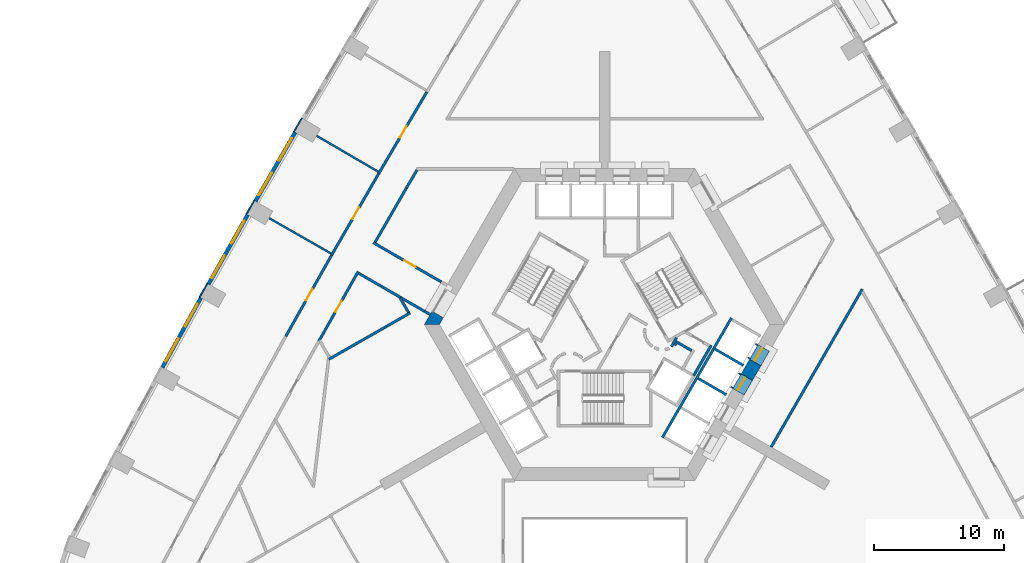
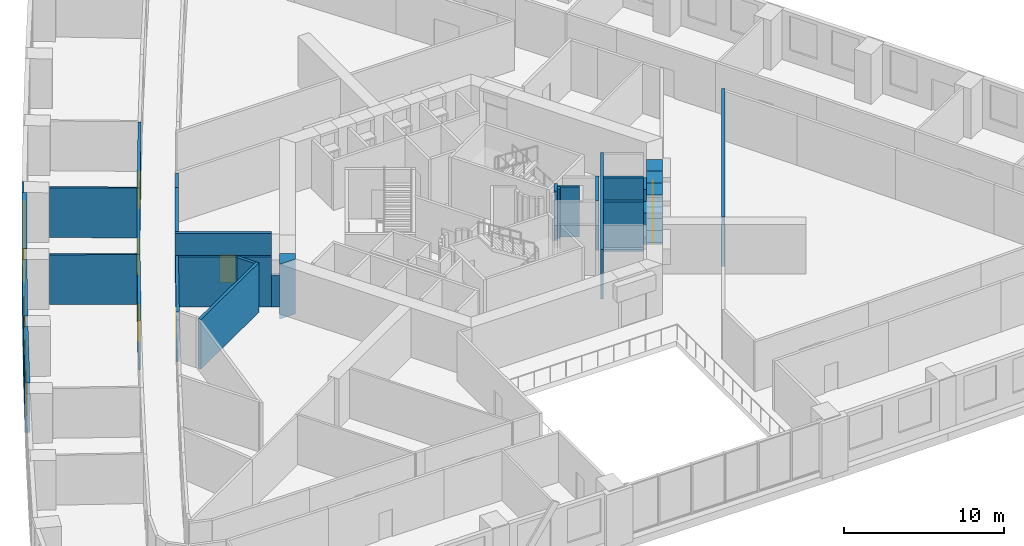
# One storey, part 7 of 16: 34 walls, 7 doors, 6 windows, 13 openings.
"""IFC4 building model written with IfcOpenShell, lengths in metres."""

import ifcopenshell
import ifcopenshell.guid

model = None  # the IFC model being written
_history = None  # IfcOwnerHistory: only IFC2X3 demands one
_inside = {}  # id of a spatial element -> (the spatial element, [elements in it])
_under = {}  # id of a project, library or spatial element -> (it, [spatial elements below it])
_declared = {}  # id of a project -> (the project, [libraries it declares])
_typed = {}  # id of a type object -> (the type object, [elements of that type])
_made_of = {}  # id of a material, layer set ... -> (it, [elements and type objects made of it])


def new_model(schema):
    """Start an empty IFC model of exactly this schema.

    Asked for "IFC4X3", IfcOpenShell would pick the latest addendum, in which some entities
    have other attributes; the version numbers below select the first issue.
    IFC2X3 requires an IfcOwnerHistory on every rooted entity: one is made here for all.
    """
    global model, _history
    if schema == "IFC4X3":
        model = ifcopenshell.file(schema_version=(4, 3, 0, 0))
    else:
        model = ifcopenshell.file(schema=schema)
    _inside.clear()
    _under.clear()
    _declared.clear()
    _typed.clear()
    _made_of.clear()
    _history = None
    if model.schema == "IFC2X3":
        org = make("IfcOrganization", Name="unknown")
        user = make(
            "IfcPersonAndOrganization",
            ThePerson=make("IfcPerson", FamilyName="unknown"),
            TheOrganization=org,
        )
        app = make(
            "IfcApplication",
            ApplicationDeveloper=org,
            Version="unknown",
            ApplicationFullName="unknown",
            ApplicationIdentifier="unknown",
        )
        _history = make(
            "IfcOwnerHistory",
            OwningUser=user,
            OwningApplication=app,
            ChangeAction="ADDED",
            CreationDate=0,
        )
    return model


def make(cls, **values):
    """One entity of the class cls with the attributes given. An attribute that is None is left unset."""
    return model.create_entity(
        cls, **{name: value for name, value in values.items() if value is not None}
    )


def rooted(cls, **values):
    """An entity with a GlobalId (a new one), such as an element, a storey or a relation."""
    return make(cls, GlobalId=ifcopenshell.guid.new(), OwnerHistory=_history, **values)


def si_unit(unit_type, name, prefix=None):
    """IfcSIUnit, for example si_unit("LENGTHUNIT", "METRE", prefix="MILLI")."""
    return make("IfcSIUnit", UnitType=unit_type, Prefix=prefix, Name=name)


def assignment(units):
    """IfcUnitAssignment: the units of a project."""
    return None if units is None else make("IfcUnitAssignment", Units=units)


def point(xyz):
    """IfcCartesianPoint."""
    return None if xyz is None else make("IfcCartesianPoint", Coordinates=xyz)


def direction(xyz):
    """IfcDirection."""
    return None if xyz is None else make("IfcDirection", DirectionRatios=xyz)


def frame(location, z_axis=None, x_axis=None):
    """IfcAxis2Placement3D, a coordinate frame: its origin and axes. An axis left out is left unset."""
    return make(
        "IfcAxis2Placement3D",
        Location=point(location),
        Axis=direction(z_axis),
        RefDirection=direction(x_axis),
    )


def frame_2d(location, x_axis=None):
    """IfcAxis2Placement2D, a coordinate frame in the plane: its origin and x axis."""
    return make(
        "IfcAxis2Placement2D", Location=point(location), RefDirection=direction(x_axis)
    )


def origin():
    """The frame at (0, 0, 0) with its axes left unset."""
    return frame((0.0, 0.0, 0.0))


def place(relative_to, where):
    """IfcLocalPlacement: puts the frame where relative to a parent placement (None: the world)."""
    return make(
        "IfcLocalPlacement", PlacementRelTo=relative_to, RelativePlacement=where
    )


def context(
    kind, dimensions, precision=None, world=None, true_north=None, identifier=None
):
    """IfcGeometricRepresentationContext, for example the 3D "Model" context."""
    return make(
        "IfcGeometricRepresentationContext",
        ContextIdentifier=identifier,
        ContextType=kind,
        CoordinateSpaceDimension=dimensions,
        Precision=precision,
        WorldCoordinateSystem=world,
        TrueNorth=true_north,
    )


def subcontext(parent, identifier, kind, view, scale=None):
    """IfcGeometricRepresentationSubContext, for example "Body" below "Model"."""
    return make(
        "IfcGeometricRepresentationSubContext",
        ContextIdentifier=identifier,
        ContextType=kind,
        ParentContext=parent,
        TargetScale=scale,
        TargetView=view,
    )


def project(units=None, contexts=None):
    """IfcProject with its units and contexts."""
    return rooted(
        "IfcProject",
        Name="project",
        RepresentationContexts=contexts,
        UnitsInContext=assignment(units),
    )


def spatial(cls, under=None, at=None, **own):
    """A site, building, storey or space (cls), placed at a placement, below another one or the project."""
    s = rooted(cls, ObjectPlacement=at, **own)
    if under is not None:
        _under.setdefault(under.id(), (under, []))[1].append(s)
    return s


def polyline(points):
    """IfcPolyline through the points."""
    return make("IfcPolyline", Points=[point(p) for p in points])


def profile(cls, at=None, kind="AREA", **sizes):
    """A parametric profile (cls). Its sizes go by their IFC names, for example OverallWidth=200.0."""
    return make(cls, ProfileType=kind, Position=at, **sizes)


def rectangle(**sizes):
    """IfcRectangleProfileDef."""
    return profile("IfcRectangleProfileDef", **sizes)


def outline(outer, holes=None, kind="AREA"):
    """IfcArbitraryClosedProfileDef: a profile drawn as a closed curve; with holes, ...WithVoids."""
    if holes is None:
        return make("IfcArbitraryClosedProfileDef", ProfileType=kind, OuterCurve=outer)
    return make(
        "IfcArbitraryProfileDefWithVoids",
        ProfileType=kind,
        OuterCurve=outer,
        InnerCurves=holes,
    )


def extrude(swept, where, along, depth):
    """IfcExtrudedAreaSolid: the profile swept, set in the frame where, extruded along a direction by depth."""
    return make(
        "IfcExtrudedAreaSolid",
        SweptArea=swept,
        Position=where,
        ExtrudedDirection=direction(along),
        Depth=depth,
    )


def shape(context_of_items, identifier, shape_type, items):
    """IfcShapeRepresentation: the items that make up one representation, for example the "Body"."""
    return make(
        "IfcShapeRepresentation",
        ContextOfItems=context_of_items,
        RepresentationIdentifier=identifier,
        RepresentationType=shape_type,
        Items=items,
    )


def material(Name=None, Category=None):
    """IfcMaterial."""
    return make("IfcMaterial", Name=Name, Category=Category)


def layer(
    of_material, thickness, ventilated=None, Name=None, Category=None, Priority=None
):
    """IfcMaterialLayer: one layer of a wall or slab, of a material (None: an air gap)."""
    return make(
        "IfcMaterialLayer",
        Material=of_material,
        LayerThickness=thickness,
        IsVentilated=ventilated,
        Name=Name,
        Category=Category,
        Priority=Priority,
    )


def layer_set(layers, Name=None):
    """IfcMaterialLayerSet."""
    return make("IfcMaterialLayerSet", MaterialLayers=layers, LayerSetName=Name)


def made_of(thing, what):
    """Note that an element or type object is made of a material, layer set ...; save() writes the relation."""
    if what is not None:
        _made_of.setdefault(what.id(), (what, []))[1].append(thing)
    return thing


def type_object(cls, material=None, **own):
    """A type object (cls), such as IfcWallType, which elements share."""
    return made_of(rooted(cls, **own), material)


def element(
    cls,
    number,
    at=None,
    inside=None,
    cuts=None,
    type_object=None,
    material=None,
    context=None,
    identifier="Body",
    shape_type=None,
    held_by="IfcProductDefinitionShape",
    body=None,
    shapes=None,
    **own,
):
    """One element of the class cls, such as IfcWall. Its Tag is "e" and its number.

    at: its placement. inside: the storey or other place that contains it. cuts: it is an
    opening in that element (IfcRelVoidsElement). A single representation is given by context,
    identifier, shape_type and body (its items); several are given by shapes. held_by: the class
    of the entity that holds the representations. save() writes the other relations.
    """
    e = rooted(cls, Tag="e%d" % number, ObjectPlacement=at, **own)
    if body is not None:
        shapes = [shape(context, identifier, shape_type, body)]
    if shapes is not None:
        e.Representation = make(held_by, Representations=shapes)
    if inside is not None:
        _inside.setdefault(inside.id(), (inside, []))[1].append(e)
    if cuts is not None:
        rooted(
            "IfcRelVoidsElement", RelatingBuildingElement=cuts, RelatedOpeningElement=e
        )
    if type_object is not None:
        _typed.setdefault(type_object.id(), (type_object, []))[1].append(e)
    return made_of(e, material)


def fill(opening, filler):
    """IfcRelFillsElement: the door or window that sits in an opening."""
    return rooted(
        "IfcRelFillsElement",
        RelatingOpeningElement=opening,
        RelatedBuildingElement=filler,
    )


def aggregate(whole, parts):
    """IfcRelAggregates: a whole, such as a stair, and the parts it consists of."""
    return rooted("IfcRelAggregates", RelatingObject=whole, RelatedObjects=parts)


def save(model, path):
    """Write the relations noted so far, then the file.

    IfcRelAggregates (storeys below a building ...), IfcRelContainedInSpatialStructure (elements
    in a storey), IfcRelDefinesByType, IfcRelAssociatesMaterial and IfcRelDeclares: one each for
    every whole, place, type object, material and project.
    """
    for whole, parts in _under.values():
        aggregate(whole, parts)
    for where, things in _inside.values():
        rooted(
            "IfcRelContainedInSpatialStructure",
            RelatedElements=things,
            RelatingStructure=where,
        )
    for kind, things in _typed.values():
        rooted("IfcRelDefinesByType", RelatedObjects=things, RelatingType=kind)
    for what, things in _made_of.values():
        rooted("IfcRelAssociatesMaterial", RelatedObjects=things, RelatingMaterial=what)
    for by, libraries in _declared.values():
        rooted("IfcRelDeclares", RelatingContext=by, RelatedDefinitions=libraries)
    model.write(path)


model = new_model("IFC4")

# Units and contexts
model_context = context("Model", 3, precision=1e-05, world=origin(), true_north=direction((0.0, 1.0)))
body_context = subcontext(model_context, "Body", "Model", "MODEL_VIEW")
ifc_project = project(units=[si_unit("LENGTHUNIT", "METRE"), si_unit("AREAUNIT", "SQUARE_METRE"), si_unit("VOLUMEUNIT", "CUBIC_METRE"), si_unit("PLANEANGLEUNIT", "RADIAN"), si_unit("MASSUNIT", "GRAM", prefix="KILO")], contexts=[model_context])

# Site, building, storey
site_placement = place(None, origin())
site = spatial("IfcSite", under=ifc_project, at=site_placement, CompositionType="ELEMENT")
building_placement = place(site_placement, origin())
building = spatial("IfcBuilding", under=site, at=building_placement, Name="Entoto Arch Interchange Tower", CompositionType="ELEMENT")
storey_placement = place(building_placement, frame((0.0, 0.0, 60.199951171875)))
storey = spatial("IfcBuildingStorey", under=building, at=storey_placement, Name="L12", CompositionType="ELEMENT", Elevation=60.199951171875)

# Walls
ifc_material_1 = material(Name="Concrete C60/75", Category="concrete")
ifc_layer_1 = layer(ifc_material_1, 1.0)
ifc_layer_set_1 = layer_set([ifc_layer_1], Name="Concrete C60/75")
wall_type_1 = type_object("IfcWallType", Name="Core wall 1000 C60/75", PredefinedType="SHEAR", material=ifc_layer_set_1)
wall_1_placement = place(storey_placement, frame((0.0, 0.0, -0.39990234375)))
element("IfcWall", 1, at=wall_1_placement, inside=storey, type_object=wall_type_1, Name="Core wall NW L12", PredefinedType="SHEAR", context=body_context, shape_type="SweptSolid", body=[
    extrude(outline(polyline([(-12.402099609375, 3.02001953125), (-13.26708984375, 3.52001953125), (-13.85595703125, 2.5), (-12.701904296875, 2.5), (-12.402099609375, 3.02001953125)])), origin(), (0.0, 0.0, 1.0), 4.199951171875),
])
wall_2_placement = place(storey_placement, frame((0.0, 0.0, -0.39990234375)))
element("IfcWall", 2, at=wall_2_placement, inside=storey, type_object=wall_type_1, Name="Core wall SE L12", PredefinedType="SHEAR", context=body_context, shape_type="SweptSolid", body=[
    extrude(outline(polyline([(12.01708984375, -0.68603515625), (11.15087890625, -0.18603515625), (10.5009765625, -1.31103515625), (11.366943359375, -1.81103515625), (12.01708984375, -0.68603515625)])), origin(), (0.0, 0.0, 1.0), 4.199951171875),
])
wall_3_placement = place(storey_placement, frame((0.0, 0.0, 3.60009765625)))
element("IfcWall", 3, at=wall_3_placement, inside=storey, type_object=wall_type_1, Name="Core wall lintel SE L12", PredefinedType="SHEAR", context=body_context, shape_type="SweptSolid", body=[
    extrude(outline(polyline([(11.366943359375, -1.81103515625), (10.5009765625, -1.31103515625), (9.85107421875, -2.43701171875), (10.717041015625, -2.93701171875), (11.366943359375, -1.81103515625)])), origin(), (0.0, 0.0, 1.0), 0.199951171875),
])
wall_4_placement = place(storey_placement, frame((0.0, 0.0, 3.60009765625)))
element("IfcWall", 4, at=wall_4_placement, inside=storey, type_object=wall_type_1, Name="Core wall lintel SE L12", PredefinedType="SHEAR", context=body_context, shape_type="SweptSolid", body=[
    extrude(outline(polyline([(12.6669921875, 0.43994140625), (11.801025390625, 0.93994140625), (11.15087890625, -0.18603515625), (12.01708984375, -0.68603515625), (12.6669921875, 0.43994140625)])), origin(), (0.0, 0.0, 1.0), 0.199951171875),
])

# Wall, opening, door
ifc_material_2 = material(Name="Concrete C40/50", Category="concrete")
ifc_layer_2 = layer(ifc_material_2, 1.199951171875)
ifc_layer_set_2 = layer_set([ifc_layer_2], Name="Concrete C40/50")
wall_type_2 = type_object("IfcWallType", Name="LIFT LANDING INFILL WALL", PredefinedType="STANDARD", material=ifc_layer_set_2)
wall_5_placement = place(storey_placement, frame((10.197998046875, -2.636962890625, 0.0), z_axis=(0.0, 0.0, 1.0), x_axis=(0.49989585183, 0.866085525409, 0.0)))
wall_5 = element("IfcWall", 5, at=wall_5_placement, inside=storey, type_object=wall_type_2, Name="Lift landing infill wall LR7 L12", PredefinedType="STANDARD", context=body_context, shape_type="SweptSolid", body=[
    extrude(rectangle(XDim=1.300048828125, YDim=1.199951171875, at=frame_2d((0.64990234375, 0.0))), origin(), (0.0, 0.0, 1.0), 2.400146484375),
])
opening_1_placement = place(wall_5_placement, frame((0.10009765625, 0.0, 0.0)))
opening_1 = element("IfcOpeningElement", 6, at=opening_1_placement, cuts=wall_5, Name="Opening LD-LR7-L12", PredefinedType="OPENING", context=body_context, shape_type="SweptSolid", body=[
    extrude(rectangle(XDim=1.10009765625, YDim=2.300048828125, at=frame_2d((0.550048828125, 1.14990234375))), frame((0.0, 0.60986328125, 0.0), z_axis=(0.0, -1.0, 0.0), x_axis=(1.0, 0.0, 0.0)), (0.0, 0.0, 1.0), 1.219970703125),
])
ifc_material_3 = material(Name="Stainless steel 1.4301 panels", Category="steel")
door_type_1 = type_object("IfcDoorType", Name="LIFT LANDING DOOR LD2 1100x2300", OperationType="SLIDING_TO_LEFT", PredefinedType="DOOR", material=ifc_material_3)
door_1_placement = place(opening_1_placement, origin())
door_1 = element("IfcDoor", 7, at=door_1_placement, inside=storey, type_object=door_type_1, Name="Lift landing door LR7 L12", OperationType="SLIDING_TO_LEFT", OverallHeight=2.300048828125, OverallWidth=1.10009765625, PredefinedType="DOOR", context=body_context, shape_type="SweptSolid", body=[
    extrude(rectangle(XDim=1.10009765625, YDim=2.300048828125, at=frame_2d((0.550048828125, 1.14990234375))), frame((0.0, 0.02490234375, 0.0), z_axis=(0.0, -1.0, 0.0), x_axis=(1.0, 0.0, 0.0)), (0.0, 0.0, 1.0), 0.050048828125),
])
fill(opening_1, door_1)

wall_6_placement = place(storey_placement, frame((11.498046875, -0.385009765625, 0.0), z_axis=(0.0, 0.0, 1.0), x_axis=(0.500221244143, 0.865897630733, 0.0)))
wall_6 = element("IfcWall", 8, at=wall_6_placement, inside=storey, type_object=wall_type_2, Name="Lift landing infill wall LR8 L12", PredefinedType="STANDARD", context=body_context, shape_type="SweptSolid", body=[
    extrude(rectangle(XDim=1.29931640625, YDim=1.199951171875, at=frame_2d((0.649658203125, 0.0))), origin(), (0.0, 0.0, 1.0), 2.400146484375),
])
opening_2_placement = place(wall_6_placement, frame((0.10009765625, 0.0, 0.0)))
opening_2 = element("IfcOpeningElement", 9, at=opening_2_placement, cuts=wall_6, Name="Opening LD-LR8-L12", PredefinedType="OPENING", context=body_context, shape_type="SweptSolid", body=[
    extrude(rectangle(XDim=1.10009765625, YDim=2.300048828125, at=frame_2d((0.550048828125, 1.14990234375))), frame((0.0, 0.60986328125, 0.0), z_axis=(0.0, -1.0, 0.0), x_axis=(1.0, 0.0, 0.0)), (0.0, 0.0, 1.0), 1.219970703125),
])
door_2_placement = place(opening_2_placement, origin())
door_2 = element("IfcDoor", 10, at=door_2_placement, inside=storey, type_object=door_type_1, Name="Lift landing door LR8 L12", OperationType="SLIDING_TO_LEFT", OverallHeight=2.300048828125, OverallWidth=1.10009765625, PredefinedType="DOOR", context=body_context, shape_type="SweptSolid", body=[
    extrude(rectangle(XDim=1.10009765625, YDim=2.300048828125, at=frame_2d((0.550048828125, 1.14990234375))), frame((0.0, 0.02490234375, 0.0), z_axis=(0.0, -1.0, 0.0), x_axis=(1.0, 0.0, 0.0)), (0.0, 0.0, 1.0), 0.050048828125),
])
fill(opening_2, door_2)

# Walls
ifc_layer_3 = layer(ifc_material_2, 0.199951171875)
ifc_layer_set_3 = layer_set([ifc_layer_3], Name="Concrete C40/50")
wall_type_3 = type_object("IfcWallType", Name="LIFT SHAFT WALL 200", PredefinedType="STANDARD", material=ifc_layer_set_3)
wall_7_placement = place(storey_placement, frame((4.450927734375, -6.18994140625, 0.0), z_axis=(0.0, 0.0, 1.0), x_axis=(0.50000090737, 0.866024879913, 0.0)))
element("IfcWall", 11, at=wall_7_placement, inside=storey, type_object=wall_type_3, Name="Shaft wall SE3 front", PredefinedType="STANDARD", context=body_context, shape_type="SweptSolid", body=[
    extrude(rectangle(XDim=10.60009765625, YDim=0.199951171875, at=frame_2d((5.300048828125, 0.0))), origin(), (0.0, 0.0, 1.0), 3.800048828125),
])
for number, where, z_axis, x_axis, name in (
    (12, (7.18798828125, -1.64990234375, 0.0), (0.0, 0.0, 1.0), (0.866022959057, -0.500004234368, 0.0), "Shaft wall SE3 cross 3"),
    (13, (8.488037109375, 0.60205078125, 0.0), (0.0, 0.0, 1.0), (0.866022959057, -0.500004234368, 0.0), "Shaft wall SE3 cross 4"),
):
    element("IfcWall", number, at=place(storey_placement, frame(where, z_axis=z_axis, x_axis=x_axis)), inside=storey, type_object=wall_type_3, Name=name, PredefinedType="STANDARD", context=body_context, shape_type="SweptSolid", body=[
        extrude(rectangle(XDim=2.5, YDim=0.199951171875, at=frame_2d((1.25, 0.0))), origin(), (0.0, 0.0, 1.0), 3.800048828125),
    ])
ifc_material_4 = material(Name="Gypsum board partition on steel studs", Category="steel")
ifc_layer_4 = layer(ifc_material_4, 0.14990234375)
ifc_layer_set_4 = layer_set([ifc_layer_4], Name="Gypsum board partition on steel studs")
wall_type_4 = type_object("IfcWallType", Name="PARTITION 150", PredefinedType="PARTITIONING", material=ifc_layer_set_4)
wall_8_placement = place(storey_placement, frame((-17.405029296875, 14.237060546875, 0.0), z_axis=(0.0, 0.0, 1.0), x_axis=(-0.863614048932, 0.504153522736, 0.0)))
element("IfcWall", 14, at=wall_8_placement, inside=storey, type_object=wall_type_4, Name="wall:L12:p145", PredefinedType="PARTITIONING", context=body_context, shape_type="SweptSolid", body=[
    extrude(rectangle(XDim=5.48046875, YDim=0.14990234375, at=frame_2d((2.740234375, 0.0))), origin(), (0.0, 0.0, 1.0), 3.800048828125),
])
wall_9_placement = place(storey_placement, frame((-21.032958984375, 7.952880859375, 0.0), z_axis=(0.0, 0.0, 1.0), x_axis=(-0.868311678357, 0.496018980715, 0.0)))
element("IfcWall", 15, at=wall_9_placement, inside=storey, type_object=wall_type_4, Name="wall:L12:p146", PredefinedType="PARTITIONING", context=body_context, shape_type="SweptSolid", body=[
    extrude(rectangle(XDim=5.479736328125, YDim=0.14990234375, at=frame_2d((2.73974609375, 0.0))), origin(), (0.0, 0.0, 1.0), 3.800048828125),
])
ifc_layer_5 = layer(ifc_material_4, 0.199951171875)
ifc_layer_set_5 = layer_set([ifc_layer_5], Name="Gypsum board partition on steel studs")
wall_type_5 = type_object("IfcWallType", Name="PARTITION 200", PredefinedType="PARTITIONING", material=ifc_layer_set_5)
wall_10_placement = place(storey_placement, frame((-14.427001953125, 14.364013671875, 0.0), z_axis=(0.0, 0.0, 1.0), x_axis=(-0.508509719672, -0.861056249614, 0.0)))
element("IfcWall", 16, at=wall_10_placement, inside=storey, type_object=wall_type_5, Name="wall:L12:p001", PredefinedType="PARTITIONING", context=body_context, shape_type="SweptSolid", body=[
    extrude(rectangle(XDim=1.61083984375, YDim=0.199951171875, at=frame_2d((0.805419921875, 0.0))), origin(), (0.0, 0.0, 1.0), 3.800048828125),
])
wall_11_placement = place(storey_placement, frame((-15.24609375, 12.97705078125, 0.0), z_axis=(0.0, 0.0, 1.0), x_axis=(-0.499891203561, -0.866088208327, 0.0)))
element("IfcWall", 17, at=wall_11_placement, inside=storey, type_object=wall_type_5, Name="wall:L12:p002", PredefinedType="PARTITIONING", context=body_context, shape_type="SweptSolid", body=[
    extrude(rectangle(XDim=4.80078125, YDim=0.199951171875, at=frame_2d((2.400390625, 0.0))), origin(), (0.0, 0.0, 1.0), 3.800048828125),
])

# Wall, opening, door
wall_12_placement = place(storey_placement, frame((-17.782958984375, 8.782958984375, 0.0), z_axis=(0.0, 0.0, 1.0), x_axis=(0.866041598752, -0.499971948444, 0.0)))
wall_12 = element("IfcWall", 18, at=wall_12_placement, inside=storey, type_object=wall_type_5, Name="wall:L12:p003", PredefinedType="PARTITIONING", context=body_context, shape_type="SweptSolid", body=[
    extrude(rectangle(XDim=6.042236328125, YDim=0.199951171875, at=frame_2d((3.02099609375, 0.0))), origin(), (0.0, 0.0, 1.0), 3.800048828125),
])
opening_3_placement = place(wall_12_placement, frame((2.77099609375, 0.0, 0.0)))
opening_3 = element("IfcOpeningElement", 19, at=opening_3_placement, cuts=wall_12, Name="Opening L12-D27", PredefinedType="OPENING", context=body_context, shape_type="SweptSolid", body=[
    extrude(rectangle(XDim=1.0, YDim=2.10009765625, at=frame_2d((0.5, 1.050048828125))), frame((0.0, 0.10986328125, 0.0), z_axis=(0.0, -1.0, 0.0), x_axis=(1.0, 0.0, 0.0)), (0.0, 0.0, 1.0), 0.219970703125),
])
ifc_material_5 = material(Name="Timber door leaf in Steel S235 frame", Category="steel")
door_type_2 = type_object("IfcDoorType", Name="DOOR DS-10 1000x2100", OperationType="SINGLE_SWING_LEFT", PredefinedType="DOOR", material=ifc_material_5)
door_3_placement = place(opening_3_placement, origin())
door_3 = element("IfcDoor", 20, at=door_3_placement, inside=storey, type_object=door_type_2, Name="door:L12:27", OperationType="SINGLE_SWING_LEFT", OverallHeight=2.10009765625, OverallWidth=1.0, PredefinedType="DOOR", context=body_context, shape_type="SweptSolid", body=[
    extrude(rectangle(XDim=1.0, YDim=2.10009765625, at=frame_2d((0.5, 1.050048828125))), frame((0.0, 0.02490234375, 0.0), z_axis=(0.0, -1.0, 0.0), x_axis=(1.0, 0.0, 0.0)), (0.0, 0.0, 1.0), 0.050048828125),
])
fill(opening_3, door_3)

# Wall
wall_13_placement = place(storey_placement, frame((-15.68701171875, 4.571044921875, 0.0), z_axis=(0.0, 0.0, 1.0), x_axis=(-0.866044530317, 0.49996687041, 0.0)))
element("IfcWall", 21, at=wall_13_placement, inside=storey, type_object=wall_type_5, Name="wall:L12:p027", PredefinedType="PARTITIONING", context=body_context, shape_type="SweptSolid", body=[
    extrude(rectangle(XDim=3.718017578125, YDim=0.199951171875, at=frame_2d((1.85888671875, 0.0))), origin(), (0.0, 0.0, 1.0), 3.800048828125),
])

# Wall, opening, door
wall_14_placement = place(storey_placement, frame((-18.945068359375, 6.56689453125, 0.0), z_axis=(0.0, 0.0, 1.0), x_axis=(-0.491840751019, -0.87068517596, 0.0)))
wall_14 = element("IfcWall", 22, at=wall_14_placement, inside=storey, type_object=wall_type_5, Name="wall:L12:p028", PredefinedType="PARTITIONING", context=body_context, shape_type="SweptSolid", body=[
    extrude(rectangle(XDim=6.16845703125, YDim=0.199951171875, at=frame_2d((3.084228515625, 0.0))), origin(), (0.0, 0.0, 1.0), 3.800048828125),
])
opening_4_placement = place(wall_14_placement, frame((2.583984375, 0.0, 0.0)))
opening_4 = element("IfcOpeningElement", 23, at=opening_4_placement, cuts=wall_14, Name="Opening L12-D21", PredefinedType="OPENING", context=body_context, shape_type="SweptSolid", body=[
    extrude(rectangle(XDim=1.0, YDim=2.10009765625, at=frame_2d((0.5, 1.050048828125))), frame((0.0, 0.10986328125, 0.0), z_axis=(0.0, -1.0, 0.0), x_axis=(1.0, 0.0, 0.0)), (0.0, 0.0, 1.0), 0.219970703125),
])
door_4_placement = place(opening_4_placement, origin())
door_4 = element("IfcDoor", 24, at=door_4_placement, inside=storey, type_object=door_type_2, Name="door:L12:21", OperationType="SINGLE_SWING_LEFT", OverallHeight=2.10009765625, OverallWidth=1.0, PredefinedType="DOOR", context=body_context, shape_type="SweptSolid", body=[
    extrude(rectangle(XDim=1.0, YDim=2.10009765625, at=frame_2d((0.5, 1.050048828125))), frame((0.0, 0.02490234375, 0.0), z_axis=(0.0, -1.0, 0.0), x_axis=(1.0, 0.0, 0.0)), (0.0, 0.0, 1.0), 0.050048828125),
])
fill(opening_4, door_4)

# Wall
wall_15_placement = place(storey_placement, frame((-13.4169921875, 3.260009765625, 0.0), z_axis=(0.0, 0.0, 1.0), x_axis=(-0.866071776036, 0.499919672301, 0.0)))
element("IfcWall", 25, at=wall_15_placement, inside=storey, type_object=wall_type_5, Name="wall:L12:p029", PredefinedType="PARTITIONING", context=body_context, shape_type="SweptSolid", body=[
    extrude(rectangle(XDim=0.5, YDim=0.199951171875, at=frame_2d((0.25, 0.0))), origin(), (0.0, 0.0, 1.0), 2.400146484375),
])

# Wall, opening, door
wall_16_placement = place(storey_placement, frame((-17.35693359375, 14.1220703125, 0.0), z_axis=(0.0, 0.0, 1.0), x_axis=(0.508298575594, 0.861180909014, 0.0)))
wall_16 = element("IfcWall", 26, at=wall_16_placement, inside=storey, type_object=wall_type_5, Name="wall:L12:p069", PredefinedType="PARTITIONING", context=body_context, shape_type="SweptSolid", body=[
    extrude(rectangle(XDim=7.257568359375, YDim=0.199951171875, at=frame_2d((3.62890625, 0.0))), origin(), (0.0, 0.0, 1.0), 3.800048828125),
])
opening_5_placement = place(wall_16_placement, frame((3.2041015625, 0.0, 0.0)))
opening_5 = element("IfcOpeningElement", 27, at=opening_5_placement, cuts=wall_16, Name="Opening L12-D12", PredefinedType="OPENING", context=body_context, shape_type="SweptSolid", body=[
    extrude(rectangle(XDim=1.0, YDim=2.10009765625, at=frame_2d((0.5, 1.050048828125))), frame((0.0, 0.10986328125, 0.0), z_axis=(0.0, -1.0, 0.0), x_axis=(1.0, 0.0, 0.0)), (0.0, 0.0, 1.0), 0.219970703125),
])
door_5_placement = place(opening_5_placement, origin())
door_5 = element("IfcDoor", 28, at=door_5_placement, inside=storey, type_object=door_type_2, Name="door:L12:12", OperationType="SINGLE_SWING_RIGHT", OverallHeight=2.10009765625, OverallWidth=1.0, PredefinedType="DOOR", context=body_context, shape_type="SweptSolid", body=[
    extrude(rectangle(XDim=1.0, YDim=2.10009765625, at=frame_2d((0.5, 1.050048828125))), frame((0.0, 0.02490234375, 0.0), z_axis=(0.0, -1.0, 0.0), x_axis=(1.0, 0.0, 0.0)), (0.0, 0.0, 1.0), 0.050048828125),
])
fill(opening_5, door_5)

wall_17_placement = place(storey_placement, frame((-17.35595703125, 14.1220703125, 0.0), z_axis=(0.0, 0.0, 1.0), x_axis=(-0.499946764175, -0.866056137321, 0.0)))
wall_17 = element("IfcWall", 29, at=wall_17_placement, inside=storey, type_object=wall_type_5, Name="wall:L12:p070", PredefinedType="PARTITIONING", context=body_context, shape_type="SweptSolid", body=[
    extrude(rectangle(XDim=7.254638671875, YDim=0.199951171875, at=frame_2d((3.62744140625, 0.0))), origin(), (0.0, 0.0, 1.0), 3.800048828125),
])
opening_6_placement = place(wall_17_placement, frame((3.052001953125, 0.0, 0.0)))
opening_6 = element("IfcOpeningElement", 30, at=opening_6_placement, cuts=wall_17, Name="Opening L12-D13", PredefinedType="OPENING", context=body_context, shape_type="SweptSolid", body=[
    extrude(rectangle(XDim=1.0, YDim=2.10009765625, at=frame_2d((0.5, 1.050048828125))), frame((0.0, 0.10986328125, 0.0), z_axis=(0.0, -1.0, 0.0), x_axis=(1.0, 0.0, 0.0)), (0.0, 0.0, 1.0), 0.219970703125),
])
door_6_placement = place(opening_6_placement, origin())
door_6 = element("IfcDoor", 31, at=door_6_placement, inside=storey, type_object=door_type_2, Name="door:L12:13", OperationType="SINGLE_SWING_RIGHT", OverallHeight=2.10009765625, OverallWidth=1.0, PredefinedType="DOOR", context=body_context, shape_type="SweptSolid", body=[
    extrude(rectangle(XDim=1.0, YDim=2.10009765625, at=frame_2d((0.5, 1.050048828125))), frame((0.0, 0.02490234375, 0.0), z_axis=(0.0, -1.0, 0.0), x_axis=(1.0, 0.0, 0.0)), (0.0, 0.0, 1.0), 0.050048828125),
])
fill(opening_6, door_6)

wall_18_placement = place(storey_placement, frame((-24.514892578125, 1.5849609375, 0.0), z_axis=(0.0, 0.0, 1.0), x_axis=(0.49174361417, 0.870740040381, 0.0)))
wall_18 = element("IfcWall", 32, at=wall_18_placement, inside=storey, type_object=wall_type_5, Name="wall:L12:p072", PredefinedType="PARTITIONING", context=body_context, shape_type="SweptSolid", body=[
    extrude(rectangle(XDim=7.1826171875, YDim=0.199951171875, at=frame_2d((3.59130859375, 0.0))), origin(), (0.0, 0.0, 1.0), 3.800048828125),
])
opening_7_placement = place(wall_18_placement, frame((3.166015625, 0.0, 0.0)))
opening_7 = element("IfcOpeningElement", 33, at=opening_7_placement, cuts=wall_18, Name="Opening L12-D14", PredefinedType="OPENING", context=body_context, shape_type="SweptSolid", body=[
    extrude(rectangle(XDim=1.0, YDim=2.10009765625, at=frame_2d((0.5, 1.050048828125))), frame((0.0, 0.10986328125, 0.0), z_axis=(0.0, -1.0, 0.0), x_axis=(1.0, 0.0, 0.0)), (0.0, 0.0, 1.0), 0.219970703125),
])
door_7_placement = place(opening_7_placement, origin())
door_7 = element("IfcDoor", 34, at=door_7_placement, inside=storey, type_object=door_type_2, Name="door:L12:14", OperationType="SINGLE_SWING_RIGHT", OverallHeight=2.10009765625, OverallWidth=1.0, PredefinedType="DOOR", context=body_context, shape_type="SweptSolid", body=[
    extrude(rectangle(XDim=1.0, YDim=2.10009765625, at=frame_2d((0.5, 1.050048828125))), frame((0.0, 0.02490234375, 0.0), z_axis=(0.0, -1.0, 0.0), x_axis=(1.0, 0.0, 0.0)), (0.0, 0.0, 1.0), 0.050048828125),
])
fill(opening_7, door_7)

# Walls
wall_19_placement = place(storey_placement, frame((5.389892578125, 0.89794921875, 0.0), z_axis=(0.0, 0.0, 1.0), x_axis=(0.673828488714, 0.738887791073, 0.0)))
element("IfcWall", 35, at=wall_19_placement, inside=storey, type_object=wall_type_5, Name="wall:L12:p086", PredefinedType="PARTITIONING", context=body_context, shape_type="SweptSolid", body=[
    extrude(rectangle(XDim=0.2626953125, YDim=0.199951171875, at=frame_2d((0.13134765625, 0.0))), origin(), (0.0, 0.0, 1.0), 3.800048828125),
])
wall_20_placement = place(storey_placement, frame((5.4990234375, 1.172119140625, 0.0), z_axis=(0.0, 0.0, 1.0), x_axis=(0.866333505267, -0.499465972466, 0.0)))
element("IfcWall", 36, at=wall_20_placement, inside=storey, type_object=wall_type_5, Name="wall:L12:p087", PredefinedType="PARTITIONING", context=body_context, shape_type="SweptSolid", body=[
    extrude(rectangle(XDim=1.37353515625, YDim=0.199951171875, at=frame_2d((0.686767578125, 0.0))), origin(), (0.0, 0.0, 1.0), 3.800048828125),
])
wall_21_placement = place(storey_placement, frame((8.19189453125, 0.887939453125, 0.0), z_axis=(0.0, 0.0, 1.0), x_axis=(-0.499940625693, -0.866059680843, 0.0)))
element("IfcWall", 37, at=wall_21_placement, inside=storey, type_object=wall_type_5, Name="wall:L12:p090", PredefinedType="PARTITIONING", context=body_context, shape_type="SweptSolid", body=[
    extrude(rectangle(XDim=2.679931640625, YDim=0.199951171875, at=frame_2d((1.33984375, 0.0))), origin(), (0.0, 0.0, 1.0), 3.800048828125),
])
wall_22_placement = place(storey_placement, frame((5.135009765625, 0.79296875, 0.0), z_axis=(0.0, 0.0, 1.0), x_axis=(0.499526442893, 0.866298639529, 0.0)))
element("IfcWall", 38, at=wall_22_placement, inside=storey, type_object=wall_type_5, Name="wall:L12:p091", PredefinedType="PARTITIONING", context=body_context, shape_type="SweptSolid", body=[
    extrude(rectangle(XDim=0.790771484375, YDim=0.199951171875, at=frame_2d((0.3955078125, 0.0))), origin(), (0.0, 0.0, 1.0), 3.800048828125),
])
wall_23_placement = place(storey_placement, frame((19.81005859375, 5.2109375, 0.0), z_axis=(0.0, 0.0, 1.0), x_axis=(-0.500003368273, -0.866023459102, 0.0)))
element("IfcWall", 39, at=wall_23_placement, inside=storey, type_object=wall_type_5, Name="wall:L12:p122", PredefinedType="PARTITIONING", context=body_context, shape_type="SweptSolid", body=[
    extrude(rectangle(XDim=14.01806640625, YDim=0.199951171875, at=frame_2d((7.009033203125, 0.0))), origin(), (0.0, 0.0, 1.0), 3.800048828125),
])
wall_24_placement = place(storey_placement, frame((-15.72412109375, 4.533935546875, 0.0), z_axis=(0.0, 0.0, 1.0), x_axis=(0.500195085719, -0.865912741691, 0.0)))
element("IfcWall", 40, at=wall_24_placement, inside=storey, type_object=wall_type_5, Name="wall:L12:p123", PredefinedType="PARTITIONING", context=body_context, shape_type="SweptSolid", body=[
    extrude(rectangle(XDim=1.28173828125, YDim=0.199951171875, at=frame_2d((0.640869140625, 0.0))), origin(), (0.0, 0.0, 1.0), 3.800048828125),
])
wall_25_placement = place(storey_placement, frame((-14.946044921875, 3.386962890625, 0.0), z_axis=(0.0, 0.0, 1.0), x_axis=(-0.868556003823, -0.4955910292, 0.0)))
element("IfcWall", 41, at=wall_25_placement, inside=storey, type_object=wall_type_5, Name="wall:L12:p124", PredefinedType="PARTITIONING", context=body_context, shape_type="SweptSolid", body=[
    extrude(rectangle(XDim=7.19921875, YDim=0.199951171875, at=frame_2d((3.599609375, 0.0))), origin(), (0.0, 0.0, 1.0), 3.800048828125),
])
wall_26_placement = place(storey_placement, frame((-13.85009765625, 3.510009765625, 0.0), z_axis=(0.0, 0.0, 1.0), x_axis=(-0.865924890849, 0.500174053114, 0.0)))
element("IfcWall", 42, at=wall_26_placement, inside=storey, type_object=wall_type_5, Name="wall:L12:p029", PredefinedType="PARTITIONING", context=body_context, shape_type="SweptSolid", body=[
    extrude(rectangle(XDim=2.121337890625, YDim=0.199951171875, at=frame_2d((1.060546875, 0.0))), origin(), (0.0, 0.0, 1.0), 3.800048828125),
])

# Wall, openings, windows
ifc_material_6 = material(Name="Welded tuff (ignimbrite) cladding, warm buff", Category="masonry")
ifc_layer_6 = layer(ifc_material_6, 0.300048828125)
ifc_layer_set_6 = layer_set([ifc_layer_6], Name="Welded tuff (ignimbrite) cladding, warm buff")
wall_type_6 = type_object("IfcWallType", Name="STONE INFILL WALL 300", PredefinedType="STANDARD", material=ifc_layer_set_6)
wall_27_placement = place(storey_placement, frame((-23.79296875, 17.27294921875, 0.0), z_axis=(0.0, 0.0, 1.0), x_axis=(-0.499903021601, -0.86608138705, 0.0)))
wall_27 = element("IfcWall", 43, at=wall_27_placement, inside=storey, type_object=wall_type_6, Name="Facade wall NW-05 L12", PredefinedType="STANDARD", context=body_context, shape_type="SweptSolid", body=[
    extrude(rectangle(XDim=6.125244140625, YDim=0.300048828125, at=frame_2d((3.0625, 0.0))), origin(), (0.0, 0.0, 1.0), 3.800048828125),
])
opening_8_placement = place(wall_27_placement, frame((0.531005859375, 0.0, 0.89990234375)))
opening_8 = element("IfcOpeningElement", 44, at=opening_8_placement, cuts=wall_27, Name="Opening WO-C", PredefinedType="OPENING", context=body_context, shape_type="SweptSolid", body=[
    extrude(rectangle(XDim=2.0, YDim=2.60009765625, at=frame_2d((1.0, 1.300048828125))), frame((0.0, 0.16015625, 0.0), z_axis=(0.0, -1.0, 0.0), x_axis=(1.0, 0.0, 0.0)), (0.0, 0.0, 1.0), 0.320068359375),
])
opening_9_placement = place(wall_27_placement, frame((3.593994140625, 0.0, 0.89990234375)))
opening_9 = element("IfcOpeningElement", 45, at=opening_9_placement, cuts=wall_27, Name="Opening WO-C", PredefinedType="OPENING", context=body_context, shape_type="SweptSolid", body=[
    extrude(rectangle(XDim=2.0, YDim=2.60009765625, at=frame_2d((1.0, 1.300048828125))), frame((0.0, 0.16015625, 0.0), z_axis=(0.0, -1.0, 0.0), x_axis=(1.0, 0.0, 0.0)), (0.0, 0.0, 1.0), 0.320068359375),
])
ifc_material_7 = material(Name="Clear glass, low-e double glazed", Category="glass")
window_type = type_object("IfcWindowType", Name="WINDOW WO-C 2000x2600", PartitioningType="DOUBLE_PANEL_VERTICAL", PredefinedType="WINDOW", material=ifc_material_7)
window_1_placement = place(opening_8_placement, origin())
window_1 = element("IfcWindow", 46, at=window_1_placement, inside=storey, type_object=window_type, Name="Window WO-C NW-05 L12", OverallHeight=2.60009765625, OverallWidth=2.0, PartitioningType="SINGLE_PANEL", PredefinedType="WINDOW", context=body_context, shape_type="SweptSolid", body=[
    extrude(rectangle(XDim=2.0, YDim=2.60009765625, at=frame_2d((1.0, 1.300048828125))), frame((0.0, 0.030029296875, 0.0), z_axis=(0.0, -1.0, 0.0), x_axis=(1.0, 0.0, 0.0)), (0.0, 0.0, 1.0), 0.06005859375),
])
fill(opening_8, window_1)
window_2_placement = place(opening_9_placement, origin())
window_2 = element("IfcWindow", 47, at=window_2_placement, inside=storey, type_object=window_type, Name="Window WO-C NW-05 L12", OverallHeight=2.60009765625, OverallWidth=2.0, PartitioningType="SINGLE_PANEL", PredefinedType="WINDOW", context=body_context, shape_type="SweptSolid", body=[
    extrude(rectangle(XDim=2.0, YDim=2.60009765625, at=frame_2d((1.0, 1.300048828125))), frame((0.0, 0.030029296875, 0.0), z_axis=(0.0, -1.0, 0.0), x_axis=(1.0, 0.0, 0.0)), (0.0, 0.0, 1.0), 0.06005859375),
])
fill(opening_9, window_2)

wall_28_placement = place(storey_placement, frame((-27.448974609375, 10.927978515625, 0.0), z_axis=(0.0, 0.0, 1.0), x_axis=(-0.491887822214, -0.870658584267, 0.0)))
wall_28 = element("IfcWall", 48, at=wall_28_placement, inside=storey, type_object=wall_type_6, Name="Facade wall NW-06 L12", PredefinedType="STANDARD", context=body_context, shape_type="SweptSolid", body=[
    extrude(rectangle(XDim=6.125244140625, YDim=0.300048828125, at=frame_2d((3.0625, 0.0))), origin(), (0.0, 0.0, 1.0), 3.800048828125),
])
opening_10_placement = place(wall_28_placement, frame((0.531005859375, 0.0, 0.89990234375)))
opening_10 = element("IfcOpeningElement", 49, at=opening_10_placement, cuts=wall_28, Name="Opening WO-C", PredefinedType="OPENING", context=body_context, shape_type="SweptSolid", body=[
    extrude(rectangle(XDim=2.0, YDim=2.60009765625, at=frame_2d((1.0, 1.300048828125))), frame((0.0, 0.16015625, 0.0), z_axis=(0.0, -1.0, 0.0), x_axis=(1.0, 0.0, 0.0)), (0.0, 0.0, 1.0), 0.320068359375),
])
opening_11_placement = place(wall_28_placement, frame((3.593994140625, 0.0, 0.89990234375)))
opening_11 = element("IfcOpeningElement", 50, at=opening_11_placement, cuts=wall_28, Name="Opening WO-C", PredefinedType="OPENING", context=body_context, shape_type="SweptSolid", body=[
    extrude(rectangle(XDim=2.0, YDim=2.60009765625, at=frame_2d((1.0, 1.300048828125))), frame((0.0, 0.16015625, 0.0), z_axis=(0.0, -1.0, 0.0), x_axis=(1.0, 0.0, 0.0)), (0.0, 0.0, 1.0), 0.320068359375),
])
window_3_placement = place(opening_10_placement, origin())
window_3 = element("IfcWindow", 51, at=window_3_placement, inside=storey, type_object=window_type, Name="Window WO-C NW-06 L12", OverallHeight=2.60009765625, OverallWidth=2.0, PartitioningType="SINGLE_PANEL", PredefinedType="WINDOW", context=body_context, shape_type="SweptSolid", body=[
    extrude(rectangle(XDim=2.0, YDim=2.60009765625, at=frame_2d((1.0, 1.300048828125))), frame((0.0, 0.030029296875, 0.0), z_axis=(0.0, -1.0, 0.0), x_axis=(1.0, 0.0, 0.0)), (0.0, 0.0, 1.0), 0.06005859375),
])
fill(opening_10, window_3)
window_4_placement = place(opening_11_placement, origin())
window_4 = element("IfcWindow", 52, at=window_4_placement, inside=storey, type_object=window_type, Name="Window WO-C NW-06 L12", OverallHeight=2.60009765625, OverallWidth=2.0, PartitioningType="SINGLE_PANEL", PredefinedType="WINDOW", context=body_context, shape_type="SweptSolid", body=[
    extrude(rectangle(XDim=2.0, YDim=2.60009765625, at=frame_2d((1.0, 1.300048828125))), frame((0.0, 0.030029296875, 0.0), z_axis=(0.0, -1.0, 0.0), x_axis=(1.0, 0.0, 0.0)), (0.0, 0.0, 1.0), 0.06005859375),
])
fill(opening_11, window_4)

wall_29_placement = place(storey_placement, frame((-31.047119140625, 4.549072265625, 0.0), z_axis=(0.0, 0.0, 1.0), x_axis=(-0.483587271547, -0.875296150339, 0.0)))
wall_29 = element("IfcWall", 53, at=wall_29_placement, inside=storey, type_object=wall_type_6, Name="Facade wall NW-07 L12", PredefinedType="STANDARD", context=body_context, shape_type="SweptSolid", body=[
    extrude(rectangle(XDim=6.125, YDim=0.300048828125, at=frame_2d((3.0625, 0.0))), origin(), (0.0, 0.0, 1.0), 3.800048828125),
])
opening_12_placement = place(wall_29_placement, frame((0.531005859375, 0.0, 0.89990234375)))
opening_12 = element("IfcOpeningElement", 54, at=opening_12_placement, cuts=wall_29, Name="Opening WO-C", PredefinedType="OPENING", context=body_context, shape_type="SweptSolid", body=[
    extrude(rectangle(XDim=2.0, YDim=2.60009765625, at=frame_2d((1.0, 1.300048828125))), frame((0.0, 0.16015625, 0.0), z_axis=(0.0, -1.0, 0.0), x_axis=(1.0, 0.0, 0.0)), (0.0, 0.0, 1.0), 0.320068359375),
])
opening_13_placement = place(wall_29_placement, frame((3.593994140625, 0.0, 0.89990234375)))
opening_13 = element("IfcOpeningElement", 55, at=opening_13_placement, cuts=wall_29, Name="Opening WO-C", PredefinedType="OPENING", context=body_context, shape_type="SweptSolid", body=[
    extrude(rectangle(XDim=2.0, YDim=2.60009765625, at=frame_2d((1.0, 1.300048828125))), frame((0.0, 0.16015625, 0.0), z_axis=(0.0, -1.0, 0.0), x_axis=(1.0, 0.0, 0.0)), (0.0, 0.0, 1.0), 0.320068359375),
])
window_5_placement = place(opening_12_placement, origin())
window_5 = element("IfcWindow", 56, at=window_5_placement, inside=storey, type_object=window_type, Name="Window WO-C NW-07 L12", OverallHeight=2.60009765625, OverallWidth=2.0, PartitioningType="SINGLE_PANEL", PredefinedType="WINDOW", context=body_context, shape_type="SweptSolid", body=[
    extrude(rectangle(XDim=2.0, YDim=2.60009765625, at=frame_2d((1.0, 1.300048828125))), frame((0.0, 0.030029296875, 0.0), z_axis=(0.0, -1.0, 0.0), x_axis=(1.0, 0.0, 0.0)), (0.0, 0.0, 1.0), 0.06005859375),
])
fill(opening_12, window_5)
window_6_placement = place(opening_13_placement, origin())
window_6 = element("IfcWindow", 57, at=window_6_placement, inside=storey, type_object=window_type, Name="Window WO-C NW-07 L12", OverallHeight=2.60009765625, OverallWidth=2.0, PartitioningType="SINGLE_PANEL", PredefinedType="WINDOW", context=body_context, shape_type="SweptSolid", body=[
    extrude(rectangle(XDim=2.0, YDim=2.60009765625, at=frame_2d((1.0, 1.300048828125))), frame((0.0, 0.030029296875, 0.0), z_axis=(0.0, -1.0, 0.0), x_axis=(1.0, 0.0, 0.0)), (0.0, 0.0, 1.0), 0.06005859375),
])
fill(opening_13, window_6)

# Walls
ifc_layer_7 = layer(ifc_material_6, 0.10009765625)
ifc_layer_set_7 = layer_set([ifc_layer_7], Name="Welded tuff (ignimbrite) cladding, warm buff")
wall_type_7 = type_object("IfcWallType", Name="STONE PIER CLADDING 100", PredefinedType="STANDARD", material=ifc_layer_set_7)
wall_30_placement = place(storey_placement, frame((-23.277099609375, 18.360107421875, 0.0), z_axis=(0.0, 0.0, 1.0), x_axis=(-0.504225229382, -0.863572184623, 0.0)))
element("IfcWall", 58, at=wall_30_placement, inside=storey, type_object=wall_type_7, Name="Stone pier NW05 L12", PredefinedType="STANDARD", context=body_context, shape_type="SweptSolid", body=[
    extrude(rectangle(XDim=1.19970703125, YDim=0.10009765625, at=frame_2d((0.599853515625, 0.0))), origin(), (0.0, 0.0, 1.0), 3.800048828125),
])
wall_31_placement = place(storey_placement, frame((-26.944091796875, 12.02001953125, 0.0), z_axis=(0.0, 0.0, 1.0), x_axis=(-0.495854054996, -0.868405870629, 0.0)))
element("IfcWall", 59, at=wall_31_placement, inside=storey, type_object=wall_type_7, Name="Stone pier NW06 L12", PredefinedType="STANDARD", context=body_context, shape_type="SweptSolid", body=[
    extrude(rectangle(XDim=1.199951171875, YDim=0.10009765625, at=frame_2d((0.60009765625, 0.0))), origin(), (0.0, 0.0, 1.0), 3.800048828125),
])
wall_32_placement = place(storey_placement, frame((-30.552001953125, 5.64599609375, 0.0), z_axis=(0.0, 0.0, 1.0), x_axis=(-0.486730996044, -0.87355190887, 0.0)))
element("IfcWall", 60, at=wall_32_placement, inside=storey, type_object=wall_type_7, Name="Stone pier NW07 L12", PredefinedType="STANDARD", context=body_context, shape_type="SweptSolid", body=[
    extrude(rectangle(XDim=1.19970703125, YDim=0.10009765625, at=frame_2d((0.599853515625, 0.0))), origin(), (0.0, 0.0, 1.0), 3.800048828125),
])

save(model, "model.ifc")
